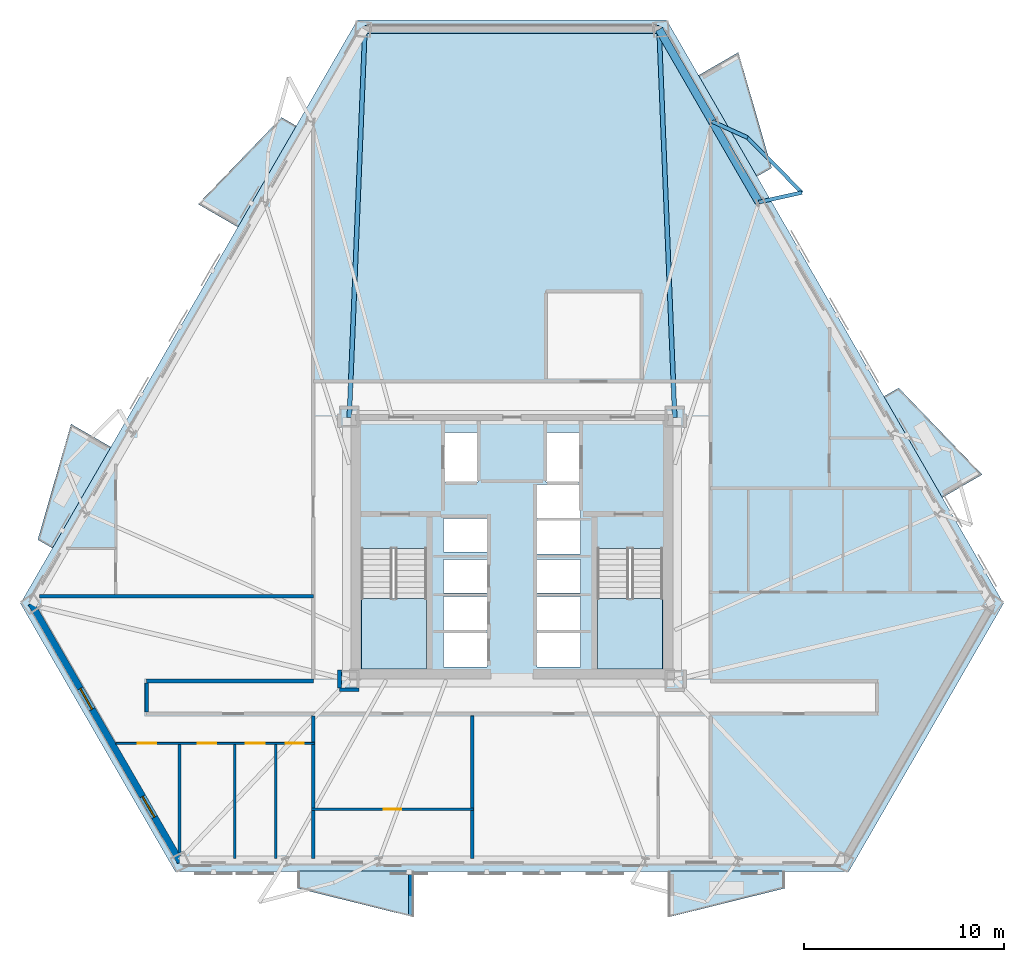
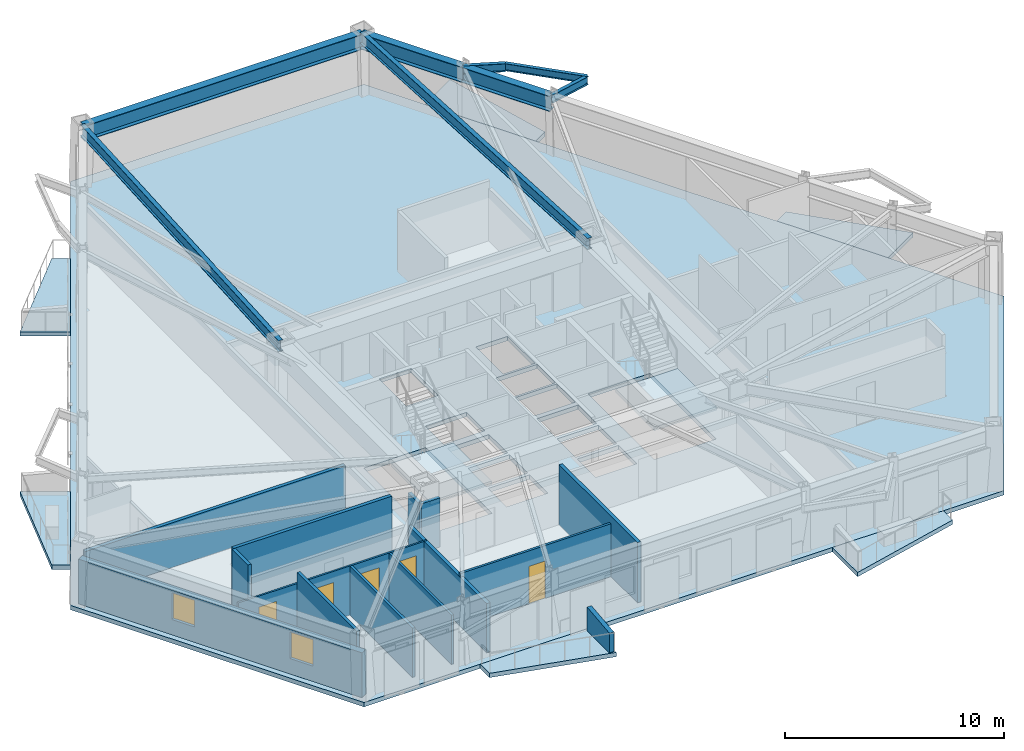
# One storey, part 2 of 12: 14 walls, 9 slabs, 8 beams, 5 doors, 2 windows, 7 openings, 2 elements without a shape of their own.
"""IFC4 building model written with IfcOpenShell, lengths in metres."""

from ifc_helpers import new_model, si_unit, direction, frame, frame_2d, origin, origin_2d, place, context, subcontext, project, spatial, polyline, rectangle, i_section, outline, extrude, material, layer, layer_set, material_profile, profile_set, type_object, element, fill, aggregate, save


model = new_model("IFC4")

# Units and contexts
model_context = context("Model", 3, precision=1e-05, world=origin(), true_north=direction((0.0, 1.0)))
body_context = subcontext(model_context, "Body", "Model", "MODEL_VIEW")
ifc_project = project(units=[si_unit("LENGTHUNIT", "METRE"), si_unit("AREAUNIT", "SQUARE_METRE"), si_unit("VOLUMEUNIT", "CUBIC_METRE"), si_unit("PLANEANGLEUNIT", "RADIAN"), si_unit("MASSUNIT", "GRAM", prefix="KILO")], contexts=[model_context])

# Site, building, storey
site_placement = place(None, origin())
site = spatial("IfcSite", under=ifc_project, at=site_placement, CompositionType="ELEMENT")
building_placement = place(site_placement, origin())
building = spatial("IfcBuilding", under=site, at=building_placement, Name="Oramaril Tower", CompositionType="ELEMENT")
storey_placement = place(building_placement, frame((0.0, 0.0, 45.300048828125)))
storey = spatial("IfcBuildingStorey", under=building, at=storey_placement, Name="L11", CompositionType="ELEMENT", Elevation=45.300048828125)

# Beams
ifc_material_1 = material(Name="Steel ASTM A572 Gr 50", Category="steel")
ifc_material_profile_1 = material_profile(ifc_material_1, i_section(OverallWidth=0.19091796875, OverallDepth=0.45703125, WebThickness=0.009033203125, FlangeThickness=0.014404296875, at=origin_2d()), Name="W18X50")
ifc_profile_set_1 = profile_set([ifc_material_profile_1], Name="Steel ASTM A572 Gr 50")
beam_type_1 = type_object("IfcBeamType", Name="BT-BB1", PredefinedType="BEAM", material=ifc_profile_set_1)
beam_1_placement = place(storey_placement, frame((49.863037109375, 34.93017578125, 3.13134765625), z_axis=(0.976228631173, 0.216743303651, 0.0), x_axis=(-0.216743303651, 0.976228631173, 0.0)))
element("IfcBeam", 1, at=beam_1_placement, inside=storey, type_object=beam_type_1, Name="L11 Balcony Column-Framed Cantilever 04.1", PredefinedType="BEAM", context=body_context, shape_type="SweptSolid", body=[
    extrude(i_section(OverallWidth=0.19091796875, OverallDepth=0.45703125, WebThickness=0.009033203125, FlangeThickness=0.014404296875, at=origin_2d()), origin(), (0.0, 0.0, 1.0), 2.2099609375),
])
beam_2_placement = place(storey_placement, frame((47.531494140625, 38.968505859375, 3.13134765625), z_axis=(0.909763293481, -0.415127389887, 0.0), x_axis=(0.415127389887, 0.909763293481, 0.0)))
element("IfcBeam", 2, at=beam_2_placement, inside=storey, type_object=beam_type_1, Name="L11 Balcony Column-Framed Cantilever 04.2", PredefinedType="BEAM", context=body_context, shape_type="SweptSolid", body=[
    extrude(i_section(OverallWidth=0.19091796875, OverallDepth=0.45703125, WebThickness=0.009033203125, FlangeThickness=0.014404296875, at=origin_2d()), origin(), (0.0, 0.0, 1.0), 1.943603515625),
])
ifc_material_2 = material(Name="Steel ASTM A572 Gr 50", Category="steel")
ifc_material_profile_2 = material_profile(ifc_material_2, i_section(OverallWidth=0.22900390625, OverallDepth=0.612060546875, WebThickness=0.011962890625, FlangeThickness=0.01953125, at=origin_2d()), Name="W24X84")
ifc_profile_set_2 = profile_set([ifc_material_profile_2], Name="Steel ASTM A572 Gr 50")
beam_type_2 = type_object("IfcBeamType", Name="BT-FB1", PredefinedType="BEAM", material=ifc_profile_set_2)
for number, where, z_axis, x_axis, name in (
    (3, (45.64990234375, 24.14990234375, 3.053955078125), (-0.040267808153, 0.99918892289, 0.0), (-0.99918892289, -0.040267808153, 0.0), "L11 Radial Primary Beam RB-05"),
    (4, (29.35009765625, 24.14990234375, 3.053955078125), (0.040267808153, 0.99918892289, 0.0), (-0.99918892289, 0.040267808153, 0.0), "L11 Radial Primary Beam RB-06"),
):
    element("IfcBeam", number, at=place(storey_placement, frame(where, z_axis=z_axis, x_axis=x_axis)), inside=storey, type_object=beam_type_2, Name=name, PredefinedType="BEAM", context=body_context, shape_type="SweptSolid", body=[
        extrude(i_section(OverallWidth=0.22900390625, OverallDepth=0.612060546875, WebThickness=0.011962890625, FlangeThickness=0.01953125, at=origin_2d()), origin(), (0.0, 0.0, 1.0), 19.449951171875),
    ])
ifc_material_3 = material(Name="Steel ASTM A572 Gr 50", Category="steel")
ifc_material_profile_3 = material_profile(ifc_material_3, i_section(OverallWidth=0.177978515625, OverallDepth=0.404052734375, WebThickness=0.007568359375, FlangeThickness=0.010986328125, at=origin_2d()), Name="W16X36")
ifc_profile_set_3 = profile_set([ifc_material_profile_3], Name="Steel ASTM A572 Gr 50")
beam_type_3 = type_object("IfcBeamType", Name="BT-SB1", PredefinedType="BEAM", material=ifc_profile_set_3)
beam_3_placement = place(storey_placement, frame((52.0205078125, 35.4091796875, 3.157958984375), z_axis=(-0.702994511648, 0.71119527318, 0.0), x_axis=(-0.71119527318, -0.702994511648, 0.0)))
element("IfcBeam", 5, at=beam_3_placement, inside=storey, type_object=beam_type_3, Name="L11 Balcony Edge Tie Beam 04", PredefinedType="BEAM", context=body_context, shape_type="SweptSolid", body=[
    extrude(i_section(OverallWidth=0.177978515625, OverallDepth=0.404052734375, WebThickness=0.007568359375, FlangeThickness=0.010986328125, at=origin_2d()), origin(), (0.0, 0.0, 1.0), 3.8701171875),
])
ifc_material_4 = material(Name="Steel ASTM A572 Gr 50", Category="steel")
ifc_material_profile_4 = material_profile(ifc_material_4, i_section(OverallWidth=0.40087890625, OverallDepth=0.85595703125, WebThickness=0.018310546875, FlangeThickness=0.029296875, at=origin_2d()), Name="W33X201")
ifc_profile_set_4 = profile_set([ifc_material_profile_4], Name="Steel ASTM A572 Gr 50")
beam_type_4 = type_object("IfcBeamType", Name="BT-SP1", PredefinedType="SPANDREL", material=ifc_profile_set_4)
beam_4_placement = place(storey_placement, frame((49.863037109375, 34.93017578125, 2.931884765625), z_axis=(-0.500001931839, 0.866024288434, 0.0), x_axis=(-0.866024288434, -0.500001931839, 0.0)))
element("IfcBeam", 6, at=beam_4_placement, inside=storey, type_object=beam_type_4, Name="L11 Perimeter Spandrel 11", PredefinedType="SPANDREL", context=body_context, shape_type="SweptSolid", body=[
    extrude(i_section(OverallWidth=0.40087890625, OverallDepth=0.85595703125, WebThickness=0.018310546875, FlangeThickness=0.029296875, at=origin_2d()), origin(), (0.0, 0.0, 1.0), 4.6630859375),
])
beam_5_placement = place(storey_placement, frame((47.531494140625, 38.968505859375, 2.931884765625), z_axis=(-0.500006636387, 0.866021572231, 0.0), x_axis=(-0.866021572231, -0.500006636387, 0.0)))
element("IfcBeam", 7, at=beam_5_placement, inside=storey, type_object=beam_type_4, Name="L11 Perimeter Spandrel 12", PredefinedType="SPANDREL", context=body_context, shape_type="SweptSolid", body=[
    extrude(i_section(OverallWidth=0.40087890625, OverallDepth=0.85595703125, WebThickness=0.018310546875, FlangeThickness=0.029296875, at=origin_2d()), origin(), (0.0, 0.0, 1.0), 5.32958984375),
])
beam_6_placement = place(storey_placement, frame((44.86669921875, 43.583984375, 2.931884765625), z_axis=(-1.0, 0.0, 0.0), x_axis=(0.0, -1.0, 0.0)))
element("IfcBeam", 8, at=beam_6_placement, inside=storey, type_object=beam_type_4, Name="L11 Perimeter Spandrel 13", PredefinedType="SPANDREL", context=body_context, shape_type="SweptSolid", body=[
    extrude(i_section(OverallWidth=0.40087890625, OverallDepth=0.85595703125, WebThickness=0.018310546875, FlangeThickness=0.029296875, at=origin_2d()), origin(), (0.0, 0.0, 1.0), 14.7333984375),
])

# Slabs
ifc_material_5 = material(Name="Concrete C40/50", Category="concrete")
ifc_layer_1 = layer(ifc_material_5, 0.199951171875)
ifc_layer_set_1 = layer_set([ifc_layer_1], Name="SLT-BAL20")
slab_type_1 = type_object("IfcSlabType", Name="SLT-BAL20", PredefinedType="FLOOR", material=ifc_layer_set_1)
slab_1_placement = place(storey_placement, frame((0.0, 0.0, -0.239990234375)))
element("IfcSlab", 9, at=slab_1_placement, inside=storey, type_object=slab_type_1, Name="L11 Cantilevered Balcony Slab L11-BAL-S1", PredefinedType="FLOOR", context=body_context, shape_type="SweptSolid", body=[
    extrude(outline(polyline([(26.752197265625, 1.419921875), (32.602294921875, 1.419921875), (32.602294921875, -0.882080078125), (26.752197265625, 0.56787109375), (26.752197265625, 1.419921875)])), origin(), (0.0, 0.0, 1.0), 0.239990234375),
])
slab_2_placement = place(storey_placement, frame((0.0, 0.0, -0.239990234375)))
element("IfcSlab", 10, at=slab_2_placement, inside=storey, type_object=slab_type_1, Name="L11 Cantilevered Balcony Slab L11-BAL-NE2", PredefinedType="FLOOR", context=body_context, shape_type="SweptSolid", body=[
    extrude(outline(polyline([(49.76611328125, 36.214599609375), (46.84130859375, 41.281005859375), (48.834716796875, 42.431884765625), (50.50390625, 36.640625), (49.76611328125, 36.214599609375)])), origin(), (0.0, 0.0, 1.0), 0.239990234375),
])
slab_3_placement = place(storey_placement, frame((0.0, 0.0, -0.239990234375)))
element("IfcSlab", 11, at=slab_3_placement, inside=storey, type_object=slab_type_1, Name="L11 Cantilevered Balcony Slab L11-BAL-NW1", PredefinedType="FLOOR", context=body_context, shape_type="SweptSolid", body=[
    extrude(outline(polyline([(26.6962890625, 38.747802734375), (23.771240234375, 33.681640625), (21.777587890625, 34.83251953125), (25.95849609375, 39.173828125), (26.6962890625, 38.747802734375)])), origin(), (0.0, 0.0, 1.0), 0.239990234375),
])
ifc_material_6 = material(Name="Concrete C50/60", Category="concrete")
ifc_layer_2 = layer(ifc_material_6, 0.239990234375)
ifc_layer_set_2 = layer_set([ifc_layer_2], Name="SLT-FLR24")
slab_type_2 = type_object("IfcSlabType", Name="SLT-FLR24", PredefinedType="FLOOR", material=ifc_layer_set_2)
slab_4_placement = place(storey_placement, frame((0.0, 0.0, -0.239990234375)))
element("IfcSlab", 12, at=slab_4_placement, inside=storey, type_object=slab_type_2, Name="L11 Structural Floor Slab", PredefinedType="FLOOR", context=body_context, shape_type="SweptSolid", body=[
    extrude(outline(polyline([(12.884521484375, 14.8291015625), (20.627197265625, 1.417724609375), (54.372802734375, 1.417724609375), (62.115478515625, 14.8291015625), (45.242919921875, 44.05322265625), (29.757080078125, 44.05322265625), (12.884521484375, 14.8291015625)]), holes=[polyline([(29.949951171875, 17.58935546875), (29.949951171875, 11.550048828125), (33.219970703125, 11.550048828125), (33.219970703125, 17.58935546875), (29.949951171875, 17.58935546875)]), polyline([(41.780029296875, 17.58935546875), (41.780029296875, 11.550048828125), (45.050048828125, 11.550048828125), (45.050048828125, 17.58935546875), (41.780029296875, 17.58935546875)]), polyline([(34.110107421875, 20.909912109375), (35.7900390625, 20.909912109375), (35.7900390625, 23.389892578125), (34.110107421875, 23.389892578125), (34.110107421875, 20.909912109375)]), polyline([(39.2099609375, 20.909912109375), (40.889892578125, 20.909912109375), (40.889892578125, 23.389892578125), (39.2099609375, 23.389892578125), (39.2099609375, 20.909912109375)]), polyline([(34.06005859375, 11.659912109375), (36.239990234375, 11.659912109375), (36.239990234375, 13.340087890625), (34.06005859375, 13.340087890625), (34.06005859375, 11.659912109375)]), polyline([(34.06005859375, 13.510009765625), (36.239990234375, 13.510009765625), (36.239990234375, 15.18994140625), (34.06005859375, 15.18994140625), (34.06005859375, 13.510009765625)]), polyline([(34.06005859375, 15.360107421875), (36.239990234375, 15.360107421875), (36.239990234375, 17.0400390625), (34.06005859375, 17.0400390625), (34.06005859375, 15.360107421875)]), polyline([(38.760009765625, 11.659912109375), (40.93994140625, 11.659912109375), (40.93994140625, 13.340087890625), (38.760009765625, 13.340087890625), (38.760009765625, 11.659912109375)]), polyline([(38.760009765625, 13.510009765625), (40.93994140625, 13.510009765625), (40.93994140625, 15.18994140625), (38.760009765625, 15.18994140625), (38.760009765625, 13.510009765625)]), polyline([(38.760009765625, 15.360107421875), (40.93994140625, 15.360107421875), (40.93994140625, 17.0400390625), (38.760009765625, 17.0400390625), (38.760009765625, 15.360107421875)]), polyline([(34.06005859375, 17.409912109375), (36.239990234375, 17.409912109375), (36.239990234375, 19.090087890625), (34.06005859375, 19.090087890625), (34.06005859375, 17.409912109375)]), polyline([(38.760009765625, 17.31005859375), (40.93994140625, 17.31005859375), (40.93994140625, 18.989990234375), (38.760009765625, 18.989990234375), (38.760009765625, 17.31005859375)]), polyline([(38.760009765625, 19.110107421875), (40.93994140625, 19.110107421875), (40.93994140625, 20.7900390625), (38.760009765625, 20.7900390625), (38.760009765625, 19.110107421875)])]), origin(), (0.0, 0.0, 1.0), 0.239990234375),
])

# Stair, slab
ifc_material_7 = material(Name="Concrete C50/60", Category="concrete")
stair_type = type_object("IfcStairType", Name="STT-DG-3600", PredefinedType="HALF_TURN_STAIR", material=ifc_material_7)
stair_1_placement = place(storey_placement, origin())
stair_1 = element("IfcStair", 13, at=stair_1_placement, inside=storey, type_object=stair_type, Name="L11 Protected PFP Exit Stair ST-1", PredefinedType="HALF_TURN_STAIR")
ifc_material_8 = material(Name="Concrete C50/60", Category="concrete")
ifc_layer_3 = layer(ifc_material_8, 0.199951171875)
ifc_layer_set_3 = layer_set([ifc_layer_3], Name="SLT-LND20")
slab_type_3 = type_object("IfcSlabType", Name="SLT-LND20", PredefinedType="LANDING", material=ifc_layer_set_3)
slab_5_placement = place(storey_placement, frame((0.0, 0.0, 1.599853515625)))
slab_5 = element("IfcSlab", 14, at=slab_5_placement, type_object=slab_type_3, Name="ST-1 landing 1", PredefinedType="LANDING", context=body_context, shape_type="SweptSolid", body=[
    extrude(outline(polyline([(29.949951171875, 15.070068359375), (29.949951171875, 11.550048828125), (33.219970703125, 11.550048828125), (33.219970703125, 15.070068359375), (29.949951171875, 15.070068359375)])), origin(), (0.0, 0.0, 1.0), 0.2001953125),
])
aggregate(stair_1, [slab_5])

stair_2_placement = place(storey_placement, origin())
stair_2 = element("IfcStair", 15, at=stair_2_placement, inside=storey, type_object=stair_type, Name="L11 Protected PFP Exit Stair ST-2", PredefinedType="HALF_TURN_STAIR")
slab_6_placement = place(storey_placement, frame((0.0, 0.0, 1.599853515625)))
slab_6 = element("IfcSlab", 16, at=slab_6_placement, type_object=slab_type_3, Name="ST-2 landing 1", PredefinedType="LANDING", context=body_context, shape_type="SweptSolid", body=[
    extrude(outline(polyline([(41.780029296875, 15.070068359375), (41.780029296875, 11.550048828125), (45.050048828125, 11.550048828125), (45.050048828125, 15.070068359375), (41.780029296875, 15.070068359375)])), origin(), (0.0, 0.0, 1.0), 0.2001953125),
])
aggregate(stair_2, [slab_6])

# Slabs
ifc_material_9 = material(Name="Concrete C40/50", Category="concrete")
ifc_layer_4 = layer(ifc_material_9, 0.18994140625)
ifc_layer_set_4 = layer_set([ifc_layer_4], Name="SLT-PLN19")
slab_type_4 = type_object("IfcSlabType", Name="SLT-PLN19", PredefinedType="FLOOR", material=ifc_layer_set_4)
slab_7_placement = place(storey_placement, frame((0.0, 0.0, -0.239990234375)))
element("IfcSlab", 17, at=slab_7_placement, inside=storey, type_object=slab_type_4, Name="L11 Tree Planter Balcony Slab L11-BAL-S2", PredefinedType="FLOOR", context=body_context, shape_type="SweptSolid", body=[
    extrude(outline(polyline([(45.32275390625, 1.419921875), (51.172607421875, 1.419921875), (51.172607421875, 0.56787109375), (45.32275390625, -0.882080078125), (45.32275390625, 1.419921875)])), origin(), (0.0, 0.0, 1.0), 0.239990234375),
])
slab_8_placement = place(storey_placement, frame((0.0, 0.0, -0.239990234375)))
element("IfcSlab", 18, at=slab_8_placement, inside=storey, type_object=slab_type_4, Name="L11 Tree Planter Balcony Slab L11-BAL-NE1", PredefinedType="FLOOR", context=body_context, shape_type="SweptSolid", body=[
    extrude(outline(polyline([(59.051513671875, 20.13232421875), (56.12646484375, 25.198486328125), (56.8642578125, 25.62451171875), (61.044921875, 21.283447265625), (59.051513671875, 20.13232421875)])), origin(), (0.0, 0.0, 1.0), 0.239990234375),
])
slab_9_placement = place(storey_placement, frame((0.0, 0.0, -0.239990234375)))
element("IfcSlab", 19, at=slab_9_placement, inside=storey, type_object=slab_type_4, Name="L11 Tree Planter Balcony Slab L11-BAL-NW2", PredefinedType="FLOOR", context=body_context, shape_type="SweptSolid", body=[
    extrude(outline(polyline([(17.4111328125, 22.66552734375), (14.486083984375, 17.599365234375), (13.748291015625, 18.025390625), (15.41748046875, 23.81640625), (17.4111328125, 22.66552734375)])), origin(), (0.0, 0.0, 1.0), 0.239990234375),
])

# Wall, openings, windows
ifc_material_10 = material(Name="Warm Cream Limestone", Category="masonry")
ifc_layer_5 = layer(ifc_material_10, 0.340087890625)
ifc_layer_set_5 = layer_set([ifc_layer_5], Name="WT-EXT34")
wall_type_1 = type_object("IfcWallType", Name="WT-EXT34", PredefinedType="SOLIDWALL", material=ifc_layer_set_5)
wall_1_placement = place(storey_placement, frame((13.41552734375, 14.8291015625, 0.0), z_axis=(0.0, 0.0, 1.0), x_axis=(0.499989538455, -0.866031443676, 0.0)))
wall_1 = element("IfcWall", 20, at=wall_1_placement, inside=storey, type_object=wall_type_1, Name="L11 Tower Limestone Facade Wall 1M", PredefinedType="SOLIDWALL", context=body_context, shape_type="SweptSolid", body=[
    extrude(rectangle(XDim=14.954833984375, YDim=0.340087890625, at=frame_2d((7.4775390625, 0.0))), origin(), (0.0, 0.0, 1.0), 2.493896484375),
])
opening_1_placement = place(wall_1_placement, frame((4.91796875, 0.0, 0.85009765625)))
opening_1 = element("IfcOpeningElement", 21, at=opening_1_placement, cuts=wall_1, Name="Opening WN-09", PredefinedType="OPENING", context=body_context, shape_type="SweptSolid", body=[
    extrude(rectangle(XDim=1.199951171875, YDim=1.47998046875, at=frame_2d((0.60009765625, 0.739990234375))), frame((0.0, 0.169921875, 0.0), z_axis=(0.0, -1.0, 0.0), x_axis=(1.0, 0.0, 0.0)), (0.0, 0.0, 1.0), 0.340087890625),
])
opening_2_placement = place(wall_1_placement, frame((11.156005859375, 0.0, 0.85009765625)))
opening_2 = element("IfcOpeningElement", 22, at=opening_2_placement, cuts=wall_1, Name="Opening WN-09", PredefinedType="OPENING", context=body_context, shape_type="SweptSolid", body=[
    extrude(rectangle(XDim=1.199951171875, YDim=1.47998046875, at=frame_2d((0.60009765625, 0.739990234375))), frame((0.0, 0.169921875, 0.0), z_axis=(0.0, -1.0, 0.0), x_axis=(1.0, 0.0, 0.0)), (0.0, 0.0, 1.0), 0.340087890625),
])
ifc_material_11 = material(Name="Coastal Low-E Insulated Glass", Category="glass")
window_type = type_object("IfcWindowType", Name="WNT-09", PartitioningType="SINGLE_PANEL", PredefinedType="WINDOW", material=ifc_material_11)
window_1_placement = place(opening_1_placement, origin())
window_1 = element("IfcWindow", 23, at=window_1_placement, inside=storey, type_object=window_type, Name="L11 Apartment Bedroom Window WN-09", OverallHeight=1.47998046875, OverallWidth=1.199951171875, PartitioningType="SINGLE_PANEL", PredefinedType="WINDOW", context=body_context, shape_type="SweptSolid", body=[
    extrude(rectangle(XDim=1.199951171875, YDim=1.47998046875, at=frame_2d((0.60009765625, 0.739990234375))), frame((0.0, 0.030029296875, 0.0), z_axis=(0.0, -1.0, 0.0), x_axis=(1.0, 0.0, 0.0)), (0.0, 0.0, 1.0), 0.06005859375),
])
fill(opening_1, window_1)
window_2_placement = place(opening_2_placement, origin())
window_2 = element("IfcWindow", 24, at=window_2_placement, inside=storey, type_object=window_type, Name="L11 Apartment Bedroom Window WN-09", OverallHeight=1.47998046875, OverallWidth=1.199951171875, PartitioningType="SINGLE_PANEL", PredefinedType="WINDOW", context=body_context, shape_type="SweptSolid", body=[
    extrude(rectangle(XDim=1.199951171875, YDim=1.47998046875, at=frame_2d((0.60009765625, 0.739990234375))), frame((0.0, 0.030029296875, 0.0), z_axis=(0.0, -1.0, 0.0), x_axis=(1.0, 0.0, 0.0)), (0.0, 0.0, 1.0), 0.06005859375),
])
fill(opening_2, window_2)

# Wall
ifc_material_12 = material(Name="Concrete C40/50", Category="concrete")
ifc_layer_6 = layer(ifc_material_12, 0.22998046875)
ifc_layer_set_6 = layer_set([ifc_layer_6], Name="WT-PRP23")
wall_type_2 = type_object("IfcWallType", Name="WT-PRP23", PredefinedType="PARAPET", material=ifc_layer_set_6)
wall_2_placement = place(storey_placement, frame((32.42236328125, 1.27978515625, 0.0), z_axis=(0.0, 0.0, 1.0), x_axis=(0.0, -1.0, 0.0)))
element("IfcWall", 25, at=wall_2_placement, inside=storey, type_object=wall_type_2, Name="L11 Trapezoidal Balcony Frame Cheek L11-BAL-S1-R", PredefinedType="PARAPET", context=body_context, shape_type="SweptSolid", body=[
    extrude(outline(polyline([(0.0, 0.0), (2.0419921875, 0.0), (2.0419921875, 1.099853515625), (0.0, 1.320068359375), (0.0, 0.0)])), frame((0.0, 0.114990234375, 0.0), z_axis=(0.0, -1.0, 0.0), x_axis=(1.0, 0.0, 0.0)), (0.0, 0.0, 1.0), 0.22998046875),
])

# Wall, openings, doors
ifc_material_13 = material(Name="Acoustic Gypsum Board Partition")
ifc_layer_7 = layer(ifc_material_13, 0.10009765625)
ifc_layer_set_7 = layer_set([ifc_layer_7], Name="WT-PT10")
wall_type_3 = type_object("IfcWallType", Name="WT-PT10", PredefinedType="PARTITIONING", material=ifc_layer_set_7)
wall_3_placement = place(storey_placement, frame((17.6630859375, 7.820068359375, 0.0), z_axis=(0.0, 0.0, 1.0), x_axis=(1.0, 0.0, 0.0)))
wall_3 = element("IfcWall", 26, at=wall_3_placement, inside=storey, type_object=wall_type_3, Name="L11 Interior Partition PT-10", PredefinedType="PARTITIONING", context=body_context, shape_type="SweptSolid", body=[
    extrude(rectangle(XDim=9.93701171875, YDim=0.10009765625, at=frame_2d((4.968505859375, 0.0))), origin(), (0.0, 0.0, 1.0), 2.738037109375),
])
opening_3_placement = place(wall_3_placement, frame((1.10205078125, 0.0, 0.0)))
opening_3 = element("IfcOpeningElement", 27, at=opening_3_placement, cuts=wall_3, Name="Opening D-L11-02", PredefinedType="OPENING", context=body_context, shape_type="SweptSolid", body=[
    extrude(rectangle(XDim=0.919921875, YDim=2.1201171875, at=frame_2d((0.4599609375, 1.06005859375))), frame((0.0, 0.050048828125, 0.0), z_axis=(0.0, -1.0, 0.0), x_axis=(1.0, 0.0, 0.0)), (0.0, 0.0, 1.0), 0.10009765625),
])
opening_4_placement = place(wall_3_placement, frame((4.10546875, 0.0, 0.0)))
opening_4 = element("IfcOpeningElement", 28, at=opening_4_placement, cuts=wall_3, Name="Opening D-L11-03", PredefinedType="OPENING", context=body_context, shape_type="SweptSolid", body=[
    extrude(rectangle(XDim=0.919921875, YDim=2.1201171875, at=frame_2d((0.4599609375, 1.06005859375))), frame((0.0, 0.050048828125, 0.0), z_axis=(0.0, -1.0, 0.0), x_axis=(1.0, 0.0, 0.0)), (0.0, 0.0, 1.0), 0.10009765625),
])
opening_5_placement = place(wall_3_placement, frame((6.496826171875, 0.0, 0.0)))
opening_5 = element("IfcOpeningElement", 29, at=opening_5_placement, cuts=wall_3, Name="Opening D-L11-04", PredefinedType="OPENING", context=body_context, shape_type="SweptSolid", body=[
    extrude(rectangle(XDim=0.949951171875, YDim=2.10009765625, at=frame_2d((0.47509765625, 1.050048828125))), frame((0.0, 0.050048828125, 0.0), z_axis=(0.0, -1.0, 0.0), x_axis=(1.0, 0.0, 0.0)), (0.0, 0.0, 1.0), 0.10009765625),
])
opening_6_placement = place(wall_3_placement, frame((8.516845703125, 0.0, 0.0)))
opening_6 = element("IfcOpeningElement", 30, at=opening_6_placement, cuts=wall_3, Name="Opening D-L11-05", PredefinedType="OPENING", context=body_context, shape_type="SweptSolid", body=[
    extrude(rectangle(XDim=0.8798828125, YDim=2.080078125, at=frame_2d((0.43994140625, 1.0400390625))), frame((0.0, 0.050048828125, 0.0), z_axis=(0.0, -1.0, 0.0), x_axis=(1.0, 0.0, 0.0)), (0.0, 0.0, 1.0), 0.10009765625),
])
ifc_material_14 = material(Name="FSC Brazilian Freijo Hardwood", Category="wood")
door_type_1 = type_object("IfcDoorType", Name="DT-BATH", OperationType="NOTDEFINED", PredefinedType="DOOR", material=ifc_material_14)
door_1_placement = place(opening_6_placement, origin())
door_1 = element("IfcDoor", 31, at=door_1_placement, inside=storey, type_object=door_type_1, Name="L11 Flat L11-U3 Bathroom Door D-L11-05", OperationType="SINGLE_SWING_RIGHT", OverallHeight=2.080078125, OverallWidth=0.8798828125, PredefinedType="DOOR", context=body_context, shape_type="SweptSolid", body=[
    extrude(rectangle(XDim=0.8798828125, YDim=2.080078125, at=frame_2d((0.43994140625, 1.0400390625))), frame((0.0, 0.02490234375, 0.0), z_axis=(0.0, -1.0, 0.0), x_axis=(1.0, 0.0, 0.0)), (0.0, 0.0, 1.0), 0.050048828125),
])
fill(opening_6, door_1)
ifc_material_15 = material(Name="FSC Brazilian Freijo Hardwood", Category="wood")
door_type_2 = type_object("IfcDoorType", Name="DT-BED", OperationType="NOTDEFINED", PredefinedType="DOOR", material=ifc_material_15)
door_2_placement = place(opening_3_placement, origin())
door_2 = element("IfcDoor", 32, at=door_2_placement, inside=storey, type_object=door_type_2, Name="L11 Flat L11-U3 Master Bedroom Door D-L11-02", OperationType="SINGLE_SWING_LEFT", OverallHeight=2.1201171875, OverallWidth=0.919921875, PredefinedType="DOOR", context=body_context, shape_type="SweptSolid", body=[
    extrude(rectangle(XDim=0.919921875, YDim=2.1201171875, at=frame_2d((0.4599609375, 1.06005859375))), frame((0.0, 0.02490234375, 0.0), z_axis=(0.0, -1.0, 0.0), x_axis=(1.0, 0.0, 0.0)), (0.0, 0.0, 1.0), 0.050048828125),
])
fill(opening_3, door_2)
door_3_placement = place(opening_4_placement, origin())
door_3 = element("IfcDoor", 33, at=door_3_placement, inside=storey, type_object=door_type_2, Name="L11 Flat L11-U3 Bedroom 2 Door D-L11-03", OperationType="SINGLE_SWING_RIGHT", OverallHeight=2.1201171875, OverallWidth=0.919921875, PredefinedType="DOOR", context=body_context, shape_type="SweptSolid", body=[
    extrude(rectangle(XDim=0.919921875, YDim=2.1201171875, at=frame_2d((0.4599609375, 1.06005859375))), frame((0.0, 0.02490234375, 0.0), z_axis=(0.0, -1.0, 0.0), x_axis=(1.0, 0.0, 0.0)), (0.0, 0.0, 1.0), 0.050048828125),
])
fill(opening_4, door_3)
ifc_material_16 = material(Name="FSC Brazilian Freijo Hardwood", Category="wood")
door_type_3 = type_object("IfcDoorType", Name="DT-STDY", OperationType="NOTDEFINED", PredefinedType="DOOR", material=ifc_material_16)
door_4_placement = place(opening_5_placement, origin())
door_4 = element("IfcDoor", 34, at=door_4_placement, inside=storey, type_object=door_type_3, Name="L11 Flat L11-U3 Kitchen Door D-L11-04", OperationType="SINGLE_SWING_LEFT", OverallHeight=2.10009765625, OverallWidth=0.949951171875, PredefinedType="DOOR", context=body_context, shape_type="SweptSolid", body=[
    extrude(rectangle(XDim=0.949951171875, YDim=2.10009765625, at=frame_2d((0.47509765625, 1.050048828125))), frame((0.0, 0.02490234375, 0.0), z_axis=(0.0, -1.0, 0.0), x_axis=(1.0, 0.0, 0.0)), (0.0, 0.0, 1.0), 0.050048828125),
])
fill(opening_5, door_4)

# Wall, opening, door
ifc_material_17 = material(Name="Acoustic Gypsum Board Partition")
ifc_layer_8 = layer(ifc_material_17, 0.1201171875)
ifc_layer_set_8 = layer_set([ifc_layer_8], Name="WT-PT12")
wall_type_4 = type_object("IfcWallType", Name="WT-PT12", PredefinedType="PARTITIONING", material=ifc_layer_set_8)
wall_4_placement = place(storey_placement, frame((27.468017578125, 4.530029296875, 0.0), z_axis=(0.0, 0.0, 1.0), x_axis=(1.0, 0.0, 0.0)))
wall_4 = element("IfcWall", 35, at=wall_4_placement, inside=storey, type_object=wall_type_4, Name="L11 Interior Partition PT-12", PredefinedType="PARTITIONING", context=body_context, shape_type="SweptSolid", body=[
    extrude(rectangle(XDim=8.114013671875, YDim=0.1201171875, at=frame_2d((4.05712890625, 0.0))), origin(), (0.0, 0.0, 1.0), 2.946044921875),
])
opening_7_placement = place(wall_4_placement, frame((3.616943359375, 0.0, 0.0)))
opening_7 = element("IfcOpeningElement", 36, at=opening_7_placement, cuts=wall_4, Name="Opening D-L11-01", PredefinedType="OPENING", context=body_context, shape_type="SweptSolid", body=[
    extrude(rectangle(XDim=0.8798828125, YDim=2.080078125, at=frame_2d((0.43994140625, 1.0400390625))), frame((0.0, 0.06005859375, 0.0), z_axis=(0.0, -1.0, 0.0), x_axis=(1.0, 0.0, 0.0)), (0.0, 0.0, 1.0), 0.1201171875),
])
door_5_placement = place(opening_7_placement, origin())
door_5 = element("IfcDoor", 37, at=door_5_placement, inside=storey, type_object=door_type_1, Name="L11 Flat L11-U1 Bathroom Door D-L11-01", OperationType="SINGLE_SWING_RIGHT", OverallHeight=2.080078125, OverallWidth=0.8798828125, PredefinedType="DOOR", context=body_context, shape_type="SweptSolid", body=[
    extrude(rectangle(XDim=0.8798828125, YDim=2.080078125, at=frame_2d((0.43994140625, 1.0400390625))), frame((0.0, 0.02490234375, 0.0), z_axis=(0.0, -1.0, 0.0), x_axis=(1.0, 0.0, 0.0)), (0.0, 0.0, 1.0), 0.050048828125),
])
fill(opening_7, door_5)

# Walls
wall_5_placement = place(storey_placement, frame((25.659912109375, 2.0517578125, 0.0), z_axis=(0.0, 0.0, 1.0), x_axis=(0.0, 1.0, 0.0)))
element("IfcWall", 38, at=wall_5_placement, inside=storey, type_object=wall_type_4, Name="L11 Interior Partition PT-12", PredefinedType="PARTITIONING", context=body_context, shape_type="SweptSolid", body=[
    extrude(rectangle(XDim=5.71435546875, YDim=0.1201171875, at=frame_2d((2.857177734375, 0.0))), origin(), (0.0, 0.0, 1.0), 2.738037109375),
])
ifc_material_18 = material(Name="Acoustic Gypsum Board Partition")
ifc_layer_9 = layer(ifc_material_18, 0.139892578125)
ifc_layer_set_9 = layer_set([ifc_layer_9], Name="WT-PT14")
wall_type_5 = type_object("IfcWallType", Name="WT-PT14", PredefinedType="PARTITIONING", material=ifc_layer_set_9)
wall_6_placement = place(storey_placement, frame((23.610107421875, 2.0517578125, 0.0), z_axis=(0.0, 0.0, 1.0), x_axis=(0.0, 1.0, 0.0)))
element("IfcWall", 39, at=wall_6_placement, inside=storey, type_object=wall_type_5, Name="L11 Interior Partition PT-14", PredefinedType="PARTITIONING", context=body_context, shape_type="SweptSolid", body=[
    extrude(rectangle(XDim=5.71435546875, YDim=0.139892578125, at=frame_2d((2.857177734375, 0.0))), origin(), (0.0, 0.0, 1.0), 2.738037109375),
])
ifc_material_19 = material(Name="Acoustic Gypsum Board Partition")
ifc_layer_10 = layer(ifc_material_19, 0.159912109375)
ifc_layer_set_10 = layer_set([ifc_layer_10], Name="WT-PT16")
wall_type_6 = type_object("IfcWallType", Name="WT-PT16", PredefinedType="PARTITIONING", material=ifc_layer_set_10)
wall_7_placement = place(storey_placement, frame((20.85009765625, 2.343017578125, 0.0), z_axis=(0.0, 0.0, 1.0), x_axis=(0.0, 1.0, 0.0)))
element("IfcWall", 40, at=wall_7_placement, inside=storey, type_object=wall_type_6, Name="L11 Interior Partition PT-16", PredefinedType="PARTITIONING", context=body_context, shape_type="SweptSolid", body=[
    extrude(rectangle(XDim=5.423095703125, YDim=0.159912109375, at=frame_2d((2.71142578125, 0.0))), origin(), (0.0, 0.0, 1.0), 3.35986328125),
])
ifc_material_20 = material(Name="Autoclaved Cellular Concrete Block", Category="concrete")
ifc_layer_11 = layer(ifc_material_20, 0.179931640625)
ifc_layer_set_11 = layer_set([ifc_layer_11], Name="WT-PT18")
wall_type_7 = type_object("IfcWallType", Name="WT-PT18", PredefinedType="PARTITIONING", material=ifc_layer_set_11)
wall_8_placement = place(storey_placement, frame((28.860107421875, 10.510009765625, 0.0), z_axis=(0.0, 0.0, 1.0), x_axis=(1.0, 0.0, 0.0)))
element("IfcWall", 41, at=wall_8_placement, inside=storey, type_object=wall_type_7, Name="L11 Interior Partition PT-18", PredefinedType="PARTITIONING", context=body_context, shape_type="SweptSolid", body=[
    extrude(rectangle(XDim=0.97998046875, YDim=0.179931640625, at=frame_2d((0.489990234375, 0.0))), origin(), (0.0, 0.0, 1.0), 2.738037109375),
])
wall_9_placement = place(storey_placement, frame((19.199951171875, 10.949951171875, 0.0), z_axis=(0.0, 0.0, 1.0), x_axis=(1.0, 0.0, 0.0)))
element("IfcWall", 42, at=wall_9_placement, inside=storey, type_object=wall_type_7, Name="L11 Interior Partition PT-18", PredefinedType="PARTITIONING", context=body_context, shape_type="SweptSolid", body=[
    extrude(rectangle(XDim=8.35009765625, YDim=0.179931640625, at=frame_2d((4.175048828125, 0.0))), origin(), (0.0, 0.0, 1.0), 3.35986328125),
])
wall_10_placement = place(storey_placement, frame((13.830810546875, 15.199951171875, 0.0), z_axis=(0.0, 0.0, 1.0), x_axis=(1.0, 0.0, 0.0)))
element("IfcWall", 43, at=wall_10_placement, inside=storey, type_object=wall_type_7, Name="L11 Interior Partition PT-18", PredefinedType="PARTITIONING", context=body_context, shape_type="SweptSolid", body=[
    extrude(rectangle(XDim=13.71923828125, YDim=0.179931640625, at=frame_2d((6.859619140625, 0.0))), origin(), (0.0, 0.0, 1.0), 2.493896484375),
])
wall_11_placement = place(storey_placement, frame((19.199951171875, 9.39404296875, 0.0), z_axis=(0.0, 0.0, 1.0), x_axis=(0.0, 1.0, 0.0)))
element("IfcWall", 44, at=wall_11_placement, inside=storey, type_object=wall_type_7, Name="L11 Interior Partition PT-18", PredefinedType="PARTITIONING", context=body_context, shape_type="SweptSolid", body=[
    extrude(rectangle(XDim=1.4619140625, YDim=0.179931640625, at=frame_2d((0.73095703125, 0.0))), origin(), (0.0, 0.0, 1.0), 3.35986328125),
])
wall_12_placement = place(storey_placement, frame((27.550048828125, 2.0517578125, 0.0), z_axis=(0.0, 0.0, 1.0), x_axis=(0.0, 1.0, 0.0)))
element("IfcWall", 45, at=wall_12_placement, inside=storey, type_object=wall_type_7, Name="L11 Interior Partition PT-18", PredefinedType="PARTITIONING", context=body_context, shape_type="SweptSolid", body=[
    extrude(rectangle(XDim=7.154296875, YDim=0.179931640625, at=frame_2d((3.5771484375, 0.0))), origin(), (0.0, 0.0, 1.0), 2.738037109375),
])
wall_13_placement = place(storey_placement, frame((28.860107421875, 10.60400390625, 0.0), z_axis=(0.0, 0.0, 1.0), x_axis=(0.0, 1.0, 0.0)))
element("IfcWall", 46, at=wall_13_placement, inside=storey, type_object=wall_type_7, Name="L11 Interior Partition PT-18", PredefinedType="PARTITIONING", context=body_context, shape_type="SweptSolid", body=[
    extrude(rectangle(XDim=0.89111328125, YDim=0.179931640625, at=frame_2d((0.445556640625, 0.0))), origin(), (0.0, 0.0, 1.0), 2.738037109375),
])
wall_14_placement = place(storey_placement, frame((35.5, 2.0517578125, 0.0), z_axis=(0.0, 0.0, 1.0), x_axis=(0.0, 1.0, 0.0)))
element("IfcWall", 47, at=wall_14_placement, inside=storey, type_object=wall_type_7, Name="L11 Interior Partition PT-18", PredefinedType="PARTITIONING", context=body_context, shape_type="SweptSolid", body=[
    extrude(rectangle(XDim=7.154296875, YDim=0.179931640625, at=frame_2d((3.5771484375, 0.0))), origin(), (0.0, 0.0, 1.0), 3.35986328125),
])

save(model, "model.ifc")
